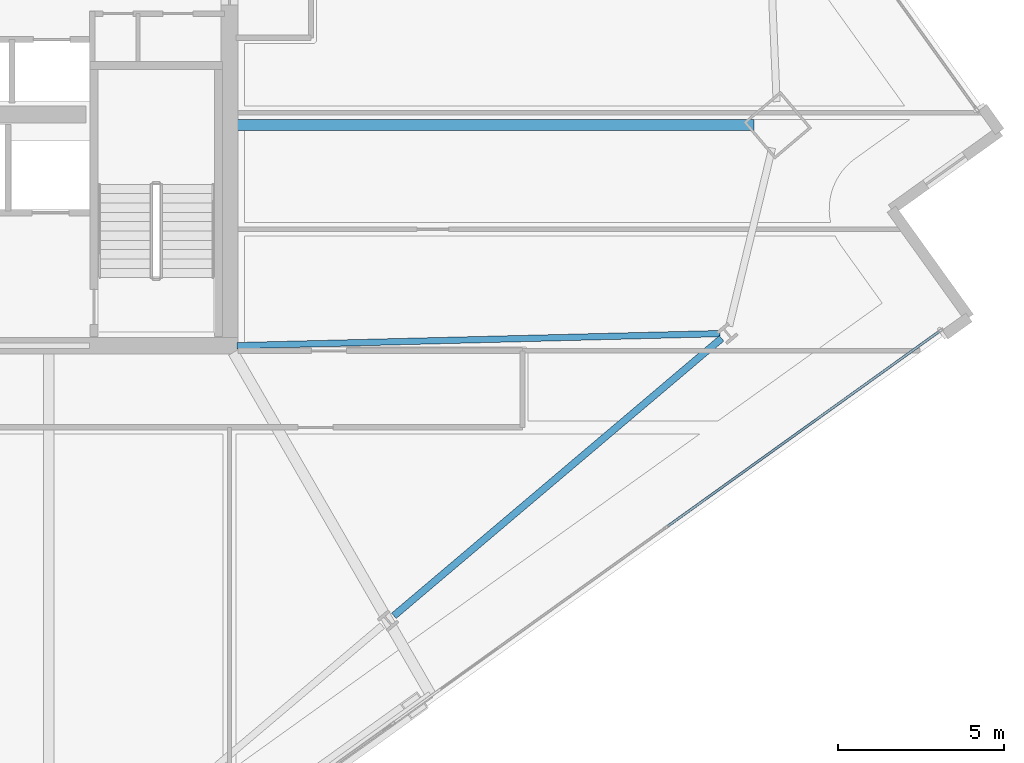
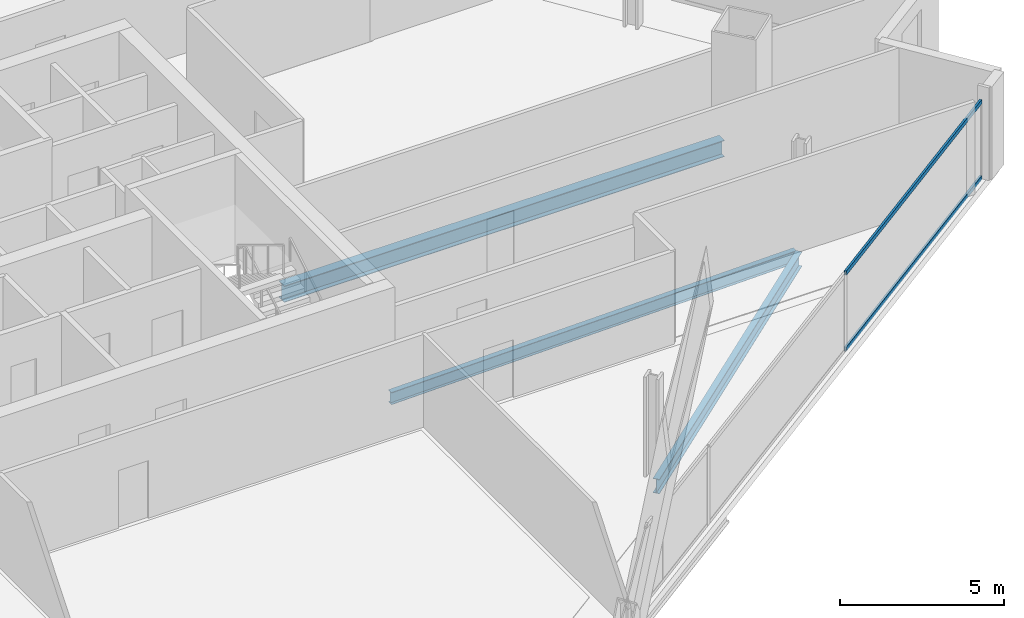
# One storey, part 9 of 33: 3 beams, 2 members, 1 element without a shape of its own.
"""IFC4 building model written with IfcOpenShell, lengths in metres."""

from ifc_helpers import new_model, si_unit, direction, frame, origin, origin_2d, place, context, subcontext, project, spatial, hollow_rectangle, i_section, extrude, material, material_profile, profile_set, type_object, element, aggregate, save


model = new_model("IFC4")

# Units and contexts
model_context = context("Model", 3, precision=1e-05, world=origin(), true_north=direction((0.0, 1.0)))
body_context = subcontext(model_context, "Body", "Model", "MODEL_VIEW")
ifc_project = project(units=[si_unit("LENGTHUNIT", "METRE"), si_unit("AREAUNIT", "SQUARE_METRE"), si_unit("VOLUMEUNIT", "CUBIC_METRE"), si_unit("PLANEANGLEUNIT", "RADIAN"), si_unit("MASSUNIT", "GRAM", prefix="KILO")], contexts=[model_context])

# Site, building, storey
site_placement = place(None, origin())
site = spatial("IfcSite", under=ifc_project, at=site_placement, CompositionType="ELEMENT")
building_placement = place(site_placement, origin())
building = spatial("IfcBuilding", under=site, at=building_placement, Name="Haldenkirk Collegiate Tower", CompositionType="ELEMENT")
storey_placement = place(building_placement, frame((0.0, 0.0, 148.199951171875)))
storey = spatial("IfcBuildingStorey", under=building, at=storey_placement, Name="L36", CompositionType="ELEMENT", Elevation=148.199951171875)

# Beams
ifc_material_1 = material(Name="Steel ASTM A992 Grade 50", Category="steel")
ifc_material_profile_1 = material_profile(ifc_material_1, i_section(OverallWidth=0.324951171875, OverallDepth=0.615966796875, WebThickness=0.013916015625, FlangeThickness=0.021484375, at=origin_2d()), Name="W24X117")
ifc_profile_set_1 = profile_set([ifc_material_profile_1], Name="Steel ASTM A992 Grade 50")
beam_type_1 = type_object("IfcBeamType", Name="BM-GIRDER-W24X117", PredefinedType="BEAM", material=ifc_profile_set_1)
beam_1_placement = place(storey_placement, frame((60.760009765625, 24.62890625, -0.597900390625), z_axis=(-1.0, 0.0, 0.0), x_axis=(0.0, -1.0, 0.0)))
element("IfcBeam", 1, at=beam_1_placement, inside=storey, type_object=beam_type_1, Name="L36 primary floor girder 02", PredefinedType="BEAM", context=body_context, shape_type="SweptSolid", body=[
    extrude(i_section(OverallWidth=0.324951171875, OverallDepth=0.615966796875, WebThickness=0.013916015625, FlangeThickness=0.021484375, at=origin_2d()), origin(), (0.0, 0.0, 1.0), 15.530029296875),
])
ifc_material_profile_2 = material_profile(ifc_material_1, i_section(OverallWidth=0.18994140625, OverallDepth=0.45703125, WebThickness=0.009033203125, FlangeThickness=0.014404296875, at=origin_2d()), Name="W18X50")
ifc_profile_set_2 = profile_set([ifc_material_profile_2], Name="Steel ASTM A992 Grade 50")
beam_type_2 = type_object("IfcBeamType", Name="BM-JOIST-W18X50", PredefinedType="JOIST", material=ifc_profile_set_2)
beam_2_placement = place(storey_placement, frame((59.727294921875, 18.3671875, -0.5185546875), z_axis=(-0.999689127321, -0.024932884215, 0.0), x_axis=(0.024932884215, -0.999689127321, 0.0)))
element("IfcBeam", 2, at=beam_2_placement, inside=storey, type_object=beam_type_2, Name="L36 composite floor joist 07", PredefinedType="JOIST", context=body_context, shape_type="SweptSolid", body=[
    extrude(i_section(OverallWidth=0.18994140625, OverallDepth=0.45703125, WebThickness=0.009033203125, FlangeThickness=0.014404296875, at=origin_2d()), origin(), (0.0, 0.0, 1.0), 14.501708984375),
])
ifc_material_profile_3 = material_profile(ifc_material_1, i_section(OverallWidth=0.2119140625, OverallDepth=0.5439453125, WebThickness=0.01318359375, FlangeThickness=0.021240234375, at=origin_2d()), Name="W21X83")
ifc_profile_set_3 = profile_set([ifc_material_profile_3], Name="Steel ASTM A992 Grade 50")
beam_type_3 = type_object("IfcBeamType", Name="BM-SPANDREL-W21X83", PredefinedType="SPANDREL", material=ifc_profile_set_3)
beam_3_placement = place(storey_placement, frame((49.937255859375, 9.89111328125, -0.56201171875), z_axis=(0.763233335078, 0.646122957514, 0.0), x_axis=(-0.646122957514, 0.763233335078, 0.0)))
element("IfcBeam", 3, at=beam_3_placement, inside=storey, type_object=beam_type_3, Name="L36 perimeter spandrel beam 03", PredefinedType="SPANDREL", context=body_context, shape_type="SweptSolid", body=[
    extrude(i_section(OverallWidth=0.2119140625, OverallDepth=0.5439453125, WebThickness=0.01318359375, FlangeThickness=0.021240234375, at=origin_2d()), origin(), (0.0, 0.0, 1.0), 12.898193359375),
])

# Curtain wall, members
ifc_material_2 = material(Name="Anodised architectural bronze aluminium", Category="aluminium")
curtain_wall_type = type_object("IfcCurtainWallType", Name="CW-SYS2-CONCAVE", PredefinedType="USERDEFINED", material=ifc_material_2)
curtain_wall_placement = place(storey_placement, origin())
curtain_wall = element("IfcCurtainWall", 4, at=curtain_wall_placement, inside=storey, type_object=curtain_wall_type, Name="L36 South concave recessed bronze-anodised curtain wall", ObjectType="UNITISED CURTAIN WALL", PredefinedType="USERDEFINED")
ifc_material_profile_4 = material_profile(ifc_material_2, hollow_rectangle(XDim=0.074951171875, YDim=0.159912109375, WallThickness=0.0048828125, at=origin_2d()), Name="CW-TRN-02")
ifc_profile_set_4 = profile_set([ifc_material_profile_4], Name="Anodised architectural bronze aluminium")
member_type = type_object("IfcMemberType", Name="CW-TRN-02", PredefinedType="USERDEFINED", material=ifc_profile_set_4)
member_1_placement = place(storey_placement, frame((66.31787109375, 18.431884765625, 0.03759765625), z_axis=(-0.81259960327, -0.582822344086, 0.0), x_axis=(0.582822344086, -0.81259960327, 0.0)))
member_1 = element("IfcMember", 5, at=member_1_placement, type_object=member_type, Name="CW-02 transom 1.1", ObjectType="TRANSOM", PredefinedType="USERDEFINED", context=body_context, shape_type="SweptSolid", body=[
    extrude(hollow_rectangle(XDim=0.074951171875, YDim=0.159912109375, WallThickness=0.0048828125, at=origin_2d()), origin(), (0.0, 0.0, 1.0), 10.03759765625),
])
member_2_placement = place(storey_placement, frame((66.31787109375, 18.431884765625, 2.87353515625), z_axis=(-0.81259960327, -0.582822344086, 0.0), x_axis=(0.582822344086, -0.81259960327, 0.0)))
member_2 = element("IfcMember", 6, at=member_2_placement, type_object=member_type, Name="CW-02 transom 1.2", ObjectType="TRANSOM", PredefinedType="USERDEFINED", context=body_context, shape_type="SweptSolid", body=[
    extrude(hollow_rectangle(XDim=0.074951171875, YDim=0.159912109375, WallThickness=0.0048828125, at=origin_2d()), origin(), (0.0, 0.0, 1.0), 10.03759765625),
])
aggregate(curtain_wall, [member_1, member_2])

save(model, "model.ifc")
